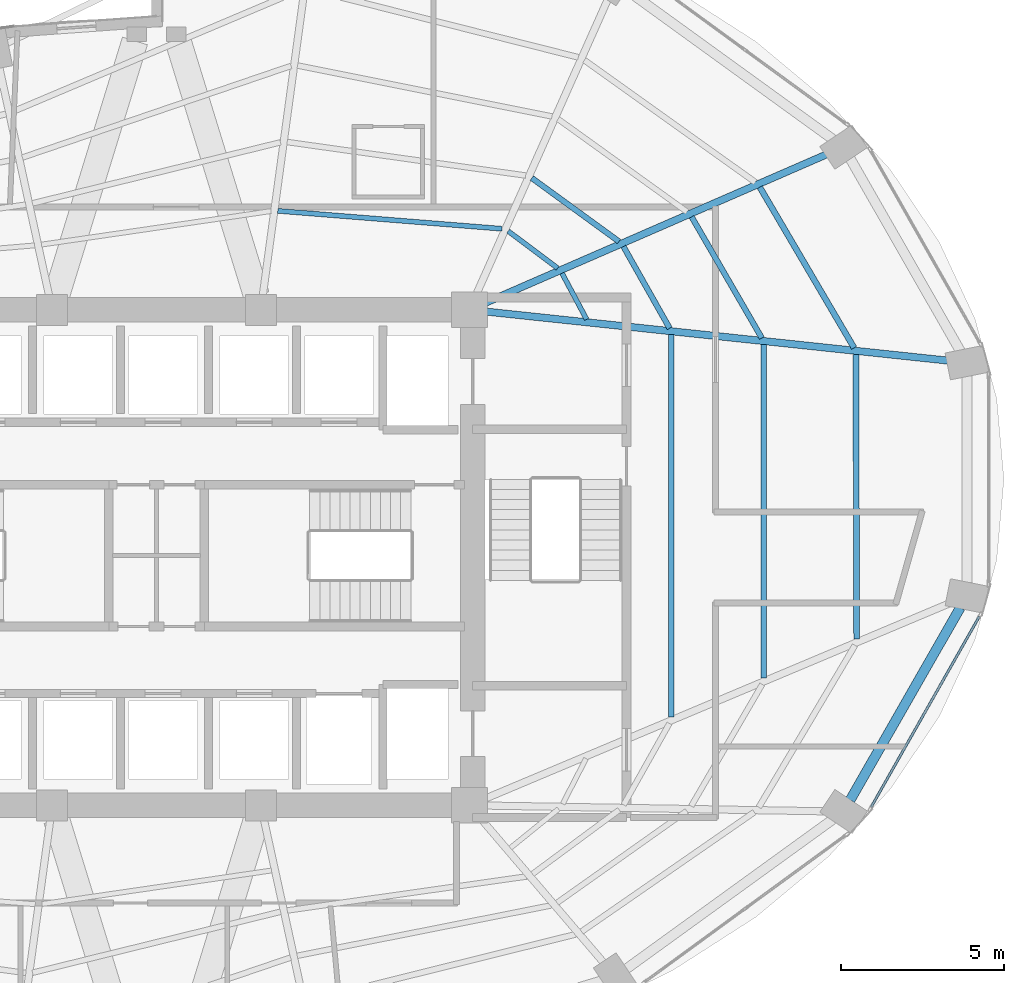
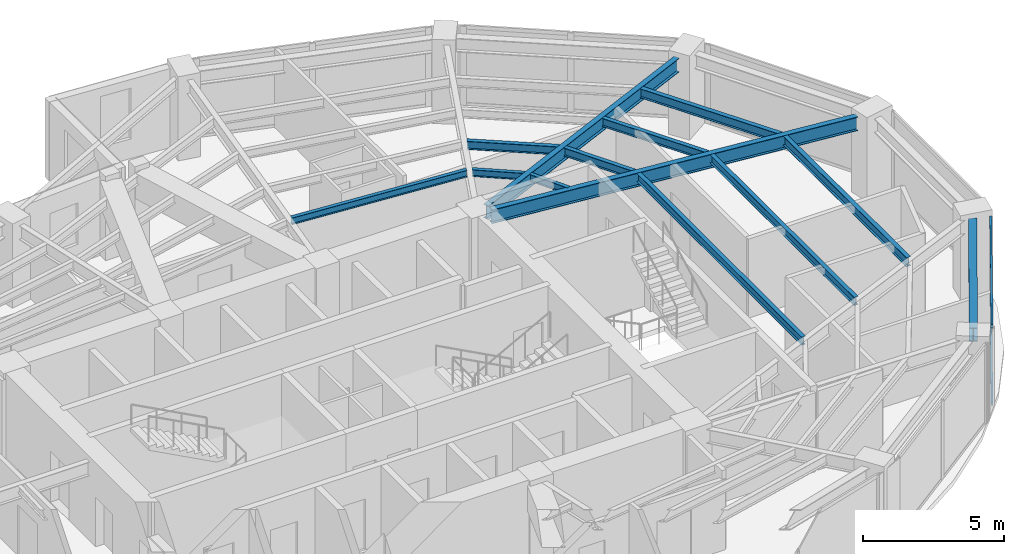
# One storey, part 13 of 24: 13 beams, 2 members, 1 element without a shape of its own.
"""IFC4 building model written with IfcOpenShell, lengths in metres."""

from ifc_helpers import new_model, si_unit, direction, frame, origin, origin_2d, place, context, subcontext, project, spatial, hollow_rectangle, i_section, extrude, material, layer, layer_set, material_profile, profile_set, type_object, element, aggregate, save


model = new_model("IFC4")

# Units and contexts
model_context = context("Model", 3, precision=1e-05, world=origin(), true_north=direction((0.0, 1.0)))
body_context = subcontext(model_context, "Body", "Model", "MODEL_VIEW")
ifc_project = project(units=[si_unit("LENGTHUNIT", "METRE"), si_unit("AREAUNIT", "SQUARE_METRE"), si_unit("VOLUMEUNIT", "CUBIC_METRE"), si_unit("PLANEANGLEUNIT", "RADIAN"), si_unit("MASSUNIT", "GRAM", prefix="KILO")], contexts=[model_context])

# Site, building, storey
site_placement = place(None, origin())
site = spatial("IfcSite", under=ifc_project, at=site_placement, CompositionType="ELEMENT")
building_placement = place(site_placement, origin())
building = spatial("IfcBuilding", under=site, at=building_placement, Name="Lazwardi Medical Tower", CompositionType="ELEMENT")
storey_placement = place(building_placement, frame((0.0, 0.0, 114.575927734375)))
storey = spatial("IfcBuildingStorey", under=building, at=storey_placement, Name="L29", CompositionType="ELEMENT", Elevation=114.575927734375)

# Beams
ifc_material_1 = material(Name="Steel S355", Category="steel")
ifc_material_profile_1 = material_profile(ifc_material_1, i_section(OverallWidth=0.300048828125, OverallDepth=0.60009765625, WebThickness=0.015380859375, FlangeThickness=0.030029296875, at=origin_2d()), Name="HEB 600")
ifc_profile_set_1 = profile_set([ifc_material_profile_1], Name="Steel S355")
beam_type_1 = type_object("IfcBeamType", Name="BM-RB-Z2", PredefinedType="BEAM", material=ifc_profile_set_1)
beam_1_placement = place(storey_placement, frame((57.281494140625, 20.561279296875, 3.128173828125), z_axis=(0.496653025517, 0.867949176072, 0.0), x_axis=(-0.867949176072, 0.496653025517, 0.0)))
element("IfcBeam", 1, at=beam_1_placement, inside=storey, type_object=beam_type_1, Name="Ring beam RB-03 B03 L29", PredefinedType="BEAM", context=body_context, shape_type="SweptSolid", body=[
    extrude(i_section(OverallWidth=0.300048828125, OverallDepth=0.60009765625, WebThickness=0.015380859375, FlangeThickness=0.030029296875, at=origin_2d()), origin(), (0.0, 0.0, 1.0), 6.80078125),
])
ifc_material_profile_2 = material_profile(ifc_material_1, i_section(OverallWidth=0.219970703125, OverallDepth=0.60009765625, WebThickness=0.011962890625, FlangeThickness=0.01904296875, at=origin_2d()), Name="IPE 600")
ifc_profile_set_2 = profile_set([ifc_material_profile_2], Name="Steel S355")
beam_type_2 = type_object("IfcBeamType", Name="BM-RG-W1", PredefinedType="BEAM", material=ifc_profile_set_2)
beam_2_placement = place(storey_placement, frame((60.2861328125, 34.041015625, 3.128173828125), z_axis=(-0.994413340753, 0.10555618282, 0.0), x_axis=(-0.10555618282, -0.994413340753, 0.0)))
element("IfcBeam", 2, at=beam_2_placement, inside=storey, type_object=beam_type_2, Name="Radial girder RG-02 R05 L29", PredefinedType="BEAM", context=body_context, shape_type="SweptSolid", body=[
    extrude(i_section(OverallWidth=0.219970703125, OverallDepth=0.60009765625, WebThickness=0.011962890625, FlangeThickness=0.01904296875, at=origin_2d()), origin(), (0.0, 0.0, 1.0), 14.233642578125),
])
beam_3_placement = place(storey_placement, frame((56.5458984375, 40.36328125, 3.128173828125), z_axis=(-0.916941336121, -0.399022037127, 0.0), x_axis=(0.399022037127, -0.916941336121, 0.0)))
element("IfcBeam", 3, at=beam_3_placement, inside=storey, type_object=beam_type_2, Name="Radial girder RG-02 R06 L29", PredefinedType="BEAM", context=body_context, shape_type="SweptSolid", body=[
    extrude(i_section(OverallWidth=0.219970703125, OverallDepth=0.60009765625, WebThickness=0.011962890625, FlangeThickness=0.01904296875, at=origin_2d()), origin(), (0.0, 0.0, 1.0), 11.40234375),
])
ifc_material_profile_3 = material_profile(ifc_material_1, i_section(OverallWidth=0.179931640625, OverallDepth=0.39990234375, WebThickness=0.008544921875, FlangeThickness=0.013427734375, at=origin_2d()), Name="IPE 400")
ifc_profile_set_3 = profile_set([ifc_material_profile_3], Name="Steel S355")
beam_type_3 = type_object("IfcBeamType", Name="BM-SJ-01", PredefinedType="JOIST", material=ifc_profile_set_3)
beam_4_placement = place(storey_placement, frame((57.48095703125, 25.502685546875, 3.22802734375), z_axis=(-0.002907126978, 0.999995774297, 0.0), x_axis=(-0.999995774297, -0.002907126978, 0.0)))
element("IfcBeam", 4, at=beam_4_placement, inside=storey, type_object=beam_type_3, Name="Secondary joist SJ-01 R1 B04 L29", PredefinedType="JOIST", context=body_context, shape_type="SweptSolid", body=[
    extrude(i_section(OverallWidth=0.179931640625, OverallDepth=0.39990234375, WebThickness=0.008544921875, FlangeThickness=0.013427734375, at=origin_2d()), origin(), (0.0, 0.0, 1.0), 8.73388671875),
])
beam_5_placement = place(storey_placement, frame((57.402099609375, 34.43212890625, 3.22802734375), z_axis=(-0.506195045201, 0.862419025888, 0.0), x_axis=(-0.862419025888, -0.506195045201, 0.0)))
element("IfcBeam", 5, at=beam_5_placement, inside=storey, type_object=beam_type_3, Name="Secondary joist SJ-01 R1 B05 L29", PredefinedType="JOIST", context=body_context, shape_type="SweptSolid", body=[
    extrude(i_section(OverallWidth=0.179931640625, OverallDepth=0.39990234375, WebThickness=0.008544921875, FlangeThickness=0.013427734375, at=origin_2d()), origin(), (0.0, 0.0, 1.0), 5.71728515625),
])
ifc_material_profile_4 = material_profile(ifc_material_1, i_section(OverallWidth=0.169921875, OverallDepth=0.360107421875, WebThickness=0.008056640625, FlangeThickness=0.0126953125, at=origin_2d()), Name="IPE 360")
ifc_profile_set_4 = profile_set([ifc_material_profile_4], Name="Steel S355")
beam_type_4 = type_object("IfcBeamType", Name="BM-SJ-02", PredefinedType="JOIST", material=ifc_profile_set_4)
beam_6_placement = place(storey_placement, frame((54.634033203125, 24.30517578125, 3.248046875), z_axis=(-0.000930565095, 0.999999567024, 0.0), x_axis=(-0.999999567024, -0.000930565095, 0.0)))
element("IfcBeam", 6, at=beam_6_placement, inside=storey, type_object=beam_type_4, Name="Secondary joist SJ-02 R2 B04 L29", PredefinedType="JOIST", context=body_context, shape_type="SweptSolid", body=[
    extrude(i_section(OverallWidth=0.169921875, OverallDepth=0.360107421875, WebThickness=0.008056640625, FlangeThickness=0.0126953125, at=origin_2d()), origin(), (0.0, 0.0, 1.0), 10.23193359375),
])
beam_7_placement = place(storey_placement, frame((54.57177734375, 34.73291015625, 3.248046875), z_axis=(-0.501365325212, 0.865235696602, 0.0), x_axis=(-0.865235696602, -0.501365325212, 0.0)))
element("IfcBeam", 7, at=beam_7_placement, inside=storey, type_object=beam_type_4, Name="Secondary joist SJ-02 R2 B05 L29", PredefinedType="JOIST", context=body_context, shape_type="SweptSolid", body=[
    extrude(i_section(OverallWidth=0.169921875, OverallDepth=0.360107421875, WebThickness=0.008056640625, FlangeThickness=0.0126953125, at=origin_2d()), origin(), (0.0, 0.0, 1.0), 4.298828125),
])
beam_8_placement = place(storey_placement, frame((51.787109375, 23.107421875, 3.248046875), z_axis=(0.000561961365, 0.9999998421, 0.0), x_axis=(-0.9999998421, 0.000561961365, 0.0)))
element("IfcBeam", 8, at=beam_8_placement, inside=storey, type_object=beam_type_4, Name="Secondary joist SJ-02 R3 B04 L29", PredefinedType="JOIST", context=body_context, shape_type="SweptSolid", body=[
    extrude(i_section(OverallWidth=0.169921875, OverallDepth=0.360107421875, WebThickness=0.008056640625, FlangeThickness=0.0126953125, at=origin_2d()), origin(), (0.0, 0.0, 1.0), 11.72998046875),
])
beam_9_placement = place(storey_placement, frame((51.741943359375, 35.033935546875, 3.248046875), z_axis=(-0.492026539517, 0.870580199873, 0.0), x_axis=(-0.870580199873, -0.492026539517, 0.0)))
element("IfcBeam", 9, at=beam_9_placement, inside=storey, type_object=beam_type_4, Name="Secondary joist SJ-02 R3 B05 L29", PredefinedType="JOIST", context=body_context, shape_type="SweptSolid", body=[
    extrude(i_section(OverallWidth=0.169921875, OverallDepth=0.360107421875, WebThickness=0.008056640625, FlangeThickness=0.0126953125, at=origin_2d()), origin(), (0.0, 0.0, 1.0), 2.880859375),
])
beam_10_placement = place(storey_placement, frame((50.18798828125, 37.6953125, 3.248046875), z_axis=(-0.808301737247, 0.588768461761, 0.0), x_axis=(-0.588768461761, -0.808301737247, 0.0)))
element("IfcBeam", 10, at=beam_10_placement, inside=storey, type_object=beam_type_4, Name="Secondary joist SJ-02 R3 B06 L29", PredefinedType="JOIST", context=body_context, shape_type="SweptSolid", body=[
    extrude(i_section(OverallWidth=0.169921875, OverallDepth=0.360107421875, WebThickness=0.008056640625, FlangeThickness=0.0126953125, at=origin_2d()), origin(), (0.0, 0.0, 1.0), 3.307373046875),
])
ifc_material_profile_5 = material_profile(ifc_material_1, i_section(OverallWidth=0.14990234375, OverallDepth=0.300048828125, WebThickness=0.007080078125, FlangeThickness=0.0107421875, at=origin_2d()), Name="IPE 300")
ifc_profile_set_5 = profile_set([ifc_material_profile_5], Name="Steel S355")
beam_type_5 = type_object("IfcBeamType", Name="BM-SJ-03", PredefinedType="JOIST", material=ifc_profile_set_5)
beam_11_placement = place(storey_placement, frame((49.1962890625, 35.3056640625, 3.278076171875), z_axis=(-0.471022344925, 0.882121278839, 0.0), x_axis=(-0.882121278839, -0.471022344925, 0.0)))
element("IfcBeam", 11, at=beam_11_placement, inside=storey, type_object=beam_type_5, Name="Secondary joist SJ-03 R4 B05 L29", PredefinedType="JOIST", context=body_context, shape_type="SweptSolid", body=[
    extrude(i_section(OverallWidth=0.14990234375, OverallDepth=0.300048828125, WebThickness=0.007080078125, FlangeThickness=0.0107421875, at=origin_2d()), origin(), (0.0, 0.0, 1.0), 1.605224609375),
])
beam_12_placement = place(storey_placement, frame((48.306640625, 36.87744140625, 3.278076171875), z_axis=(-0.800447687995, 0.599402618265, 0.0), x_axis=(-0.599402618265, -0.800447687995, 0.0)))
element("IfcBeam", 12, at=beam_12_placement, inside=storey, type_object=beam_type_5, Name="Secondary joist SJ-03 R4 B06 L29", PredefinedType="JOIST", context=body_context, shape_type="SweptSolid", body=[
    extrude(i_section(OverallWidth=0.14990234375, OverallDepth=0.300048828125, WebThickness=0.007080078125, FlangeThickness=0.0107421875, at=origin_2d()), origin(), (0.0, 0.0, 1.0), 1.896728515625),
])
beam_13_placement = place(storey_placement, frame((46.599609375, 38.085693359375, 3.278076171875), z_axis=(-0.996816178299, 0.079733974445, 0.0), x_axis=(-0.079733974445, -0.996816178299, 0.0)))
element("IfcBeam", 13, at=beam_13_placement, inside=storey, type_object=beam_type_5, Name="Secondary joist SJ-03 R4 B07 L29", PredefinedType="JOIST", context=body_context, shape_type="SweptSolid", body=[
    extrude(i_section(OverallWidth=0.14990234375, OverallDepth=0.300048828125, WebThickness=0.007080078125, FlangeThickness=0.0107421875, at=origin_2d()), origin(), (0.0, 0.0, 1.0), 6.901611328125),
])

# Curtain wall, members
ifc_material_2 = material(Name="Anodised bronze aluminium and solar control glazing", Category="aluminium")
ifc_layer = layer(ifc_material_2, 0.195068359375)
ifc_layer_set = layer_set([ifc_layer], Name="Anodised bronze aluminium and solar control glazing")
curtain_wall_type = type_object("IfcCurtainWallType", Name="CW-SYS-03", PredefinedType="NOTDEFINED", material=ifc_layer_set)
curtain_wall_placement = place(storey_placement, origin())
curtain_wall = element("IfcCurtainWall", 14, at=curtain_wall_placement, inside=storey, type_object=curtain_wall_type, Name="L29 Unitised bronze curtain wall CW-03", PredefinedType="NOTDEFINED")
ifc_material_3 = material(Name="Anodised bronze aluminium", Category="aluminium")
ifc_material_profile_6 = material_profile(ifc_material_3, hollow_rectangle(XDim=0.074951171875, YDim=0.159912109375, WallThickness=0.00390625, at=origin_2d()), Name="ALU-TRANSOM 160x75x4")
ifc_profile_set_6 = profile_set([ifc_material_profile_6], Name="Anodised bronze aluminium")
member_type = type_object("IfcMemberType", Name="CW-TRN-01", PredefinedType="USERDEFINED", material=ifc_profile_set_6)
member_1_placement = place(storey_placement, frame((57.925537109375, 20.3466796875, 0.03759765625), z_axis=(0.493614427365, 0.869680859337, 0.0), x_axis=(-0.869680859337, 0.493614427365, 0.0)))
member_1 = element("IfcMember", 15, at=member_1_placement, type_object=member_type, Name="CW-03 transom 1.1", ObjectType="TRANSOM", PredefinedType="USERDEFINED", context=body_context, shape_type="SweptSolid", body=[
    extrude(hollow_rectangle(XDim=0.074951171875, YDim=0.159912109375, WallThickness=0.00390625, at=origin_2d()), origin(), (0.0, 0.0, 1.0), 6.72314453125),
])
member_2_placement = place(storey_placement, frame((57.925537109375, 20.3466796875, 3.390625), z_axis=(0.493614427365, 0.869680859337, 0.0), x_axis=(-0.869680859337, 0.493614427365, 0.0)))
member_2 = element("IfcMember", 16, at=member_2_placement, type_object=member_type, Name="CW-03 transom 1.2", ObjectType="TRANSOM", PredefinedType="USERDEFINED", context=body_context, shape_type="SweptSolid", body=[
    extrude(hollow_rectangle(XDim=0.074951171875, YDim=0.159912109375, WallThickness=0.00390625, at=origin_2d()), origin(), (0.0, 0.0, 1.0), 6.72314453125),
])
aggregate(curtain_wall, [member_1, member_2])

save(model, "model.ifc")
